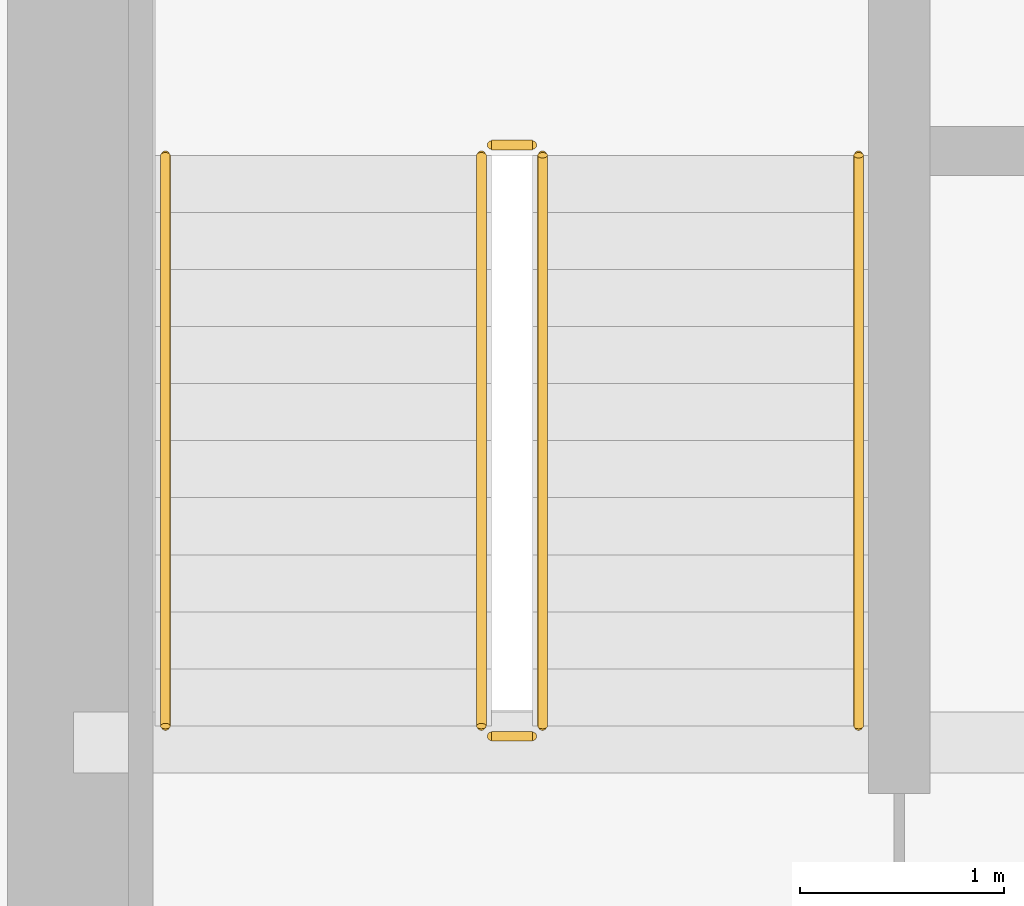
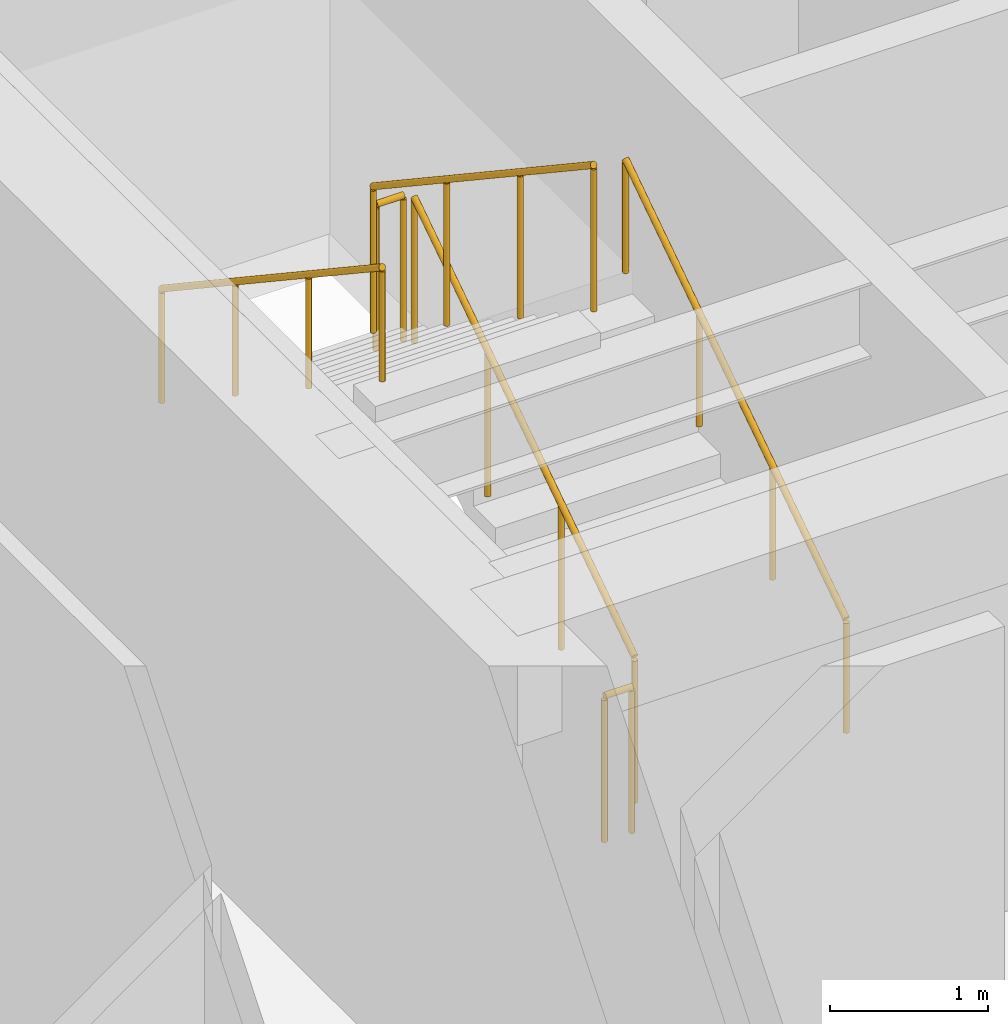
# One storey, part 30 of 33: 6 railings.
"""IFC4 building model written with IfcOpenShell, lengths in metres."""

import ifcopenshell
import ifcopenshell.guid

model = None  # the IFC model being written
_history = None  # IfcOwnerHistory: only IFC2X3 demands one
_inside = {}  # id of a spatial element -> (the spatial element, [elements in it])
_under = {}  # id of a project, library or spatial element -> (it, [spatial elements below it])
_declared = {}  # id of a project -> (the project, [libraries it declares])
_typed = {}  # id of a type object -> (the type object, [elements of that type])
_made_of = {}  # id of a material, layer set ... -> (it, [elements and type objects made of it])


def new_model(schema):
    """Start an empty IFC model of exactly this schema.

    Asked for "IFC4X3", IfcOpenShell would pick the latest addendum, in which some entities
    have other attributes; the version numbers below select the first issue.
    IFC2X3 requires an IfcOwnerHistory on every rooted entity: one is made here for all.
    """
    global model, _history
    if schema == "IFC4X3":
        model = ifcopenshell.file(schema_version=(4, 3, 0, 0))
    else:
        model = ifcopenshell.file(schema=schema)
    _inside.clear()
    _under.clear()
    _declared.clear()
    _typed.clear()
    _made_of.clear()
    _history = None
    if model.schema == "IFC2X3":
        org = make("IfcOrganization", Name="unknown")
        user = make(
            "IfcPersonAndOrganization",
            ThePerson=make("IfcPerson", FamilyName="unknown"),
            TheOrganization=org,
        )
        app = make(
            "IfcApplication",
            ApplicationDeveloper=org,
            Version="unknown",
            ApplicationFullName="unknown",
            ApplicationIdentifier="unknown",
        )
        _history = make(
            "IfcOwnerHistory",
            OwningUser=user,
            OwningApplication=app,
            ChangeAction="ADDED",
            CreationDate=0,
        )
    return model


def make(cls, **values):
    """One entity of the class cls with the attributes given. An attribute that is None is left unset."""
    return model.create_entity(
        cls, **{name: value for name, value in values.items() if value is not None}
    )


def rooted(cls, **values):
    """An entity with a GlobalId (a new one), such as an element, a storey or a relation."""
    return make(cls, GlobalId=ifcopenshell.guid.new(), OwnerHistory=_history, **values)


def si_unit(unit_type, name, prefix=None):
    """IfcSIUnit, for example si_unit("LENGTHUNIT", "METRE", prefix="MILLI")."""
    return make("IfcSIUnit", UnitType=unit_type, Prefix=prefix, Name=name)


def assignment(units):
    """IfcUnitAssignment: the units of a project."""
    return None if units is None else make("IfcUnitAssignment", Units=units)


def point(xyz):
    """IfcCartesianPoint."""
    return None if xyz is None else make("IfcCartesianPoint", Coordinates=xyz)


def direction(xyz):
    """IfcDirection."""
    return None if xyz is None else make("IfcDirection", DirectionRatios=xyz)


def frame(location, z_axis=None, x_axis=None):
    """IfcAxis2Placement3D, a coordinate frame: its origin and axes. An axis left out is left unset."""
    return make(
        "IfcAxis2Placement3D",
        Location=point(location),
        Axis=direction(z_axis),
        RefDirection=direction(x_axis),
    )


def frame_2d(location, x_axis=None):
    """IfcAxis2Placement2D, a coordinate frame in the plane: its origin and x axis."""
    return make(
        "IfcAxis2Placement2D", Location=point(location), RefDirection=direction(x_axis)
    )


def origin():
    """The frame at (0, 0, 0) with its axes left unset."""
    return frame((0.0, 0.0, 0.0))


def origin_2d():
    """The frame at (0, 0) in the plane with its x axis left unset."""
    return frame_2d((0.0, 0.0))


def place(relative_to, where):
    """IfcLocalPlacement: puts the frame where relative to a parent placement (None: the world)."""
    return make(
        "IfcLocalPlacement", PlacementRelTo=relative_to, RelativePlacement=where
    )


def context(
    kind, dimensions, precision=None, world=None, true_north=None, identifier=None
):
    """IfcGeometricRepresentationContext, for example the 3D "Model" context."""
    return make(
        "IfcGeometricRepresentationContext",
        ContextIdentifier=identifier,
        ContextType=kind,
        CoordinateSpaceDimension=dimensions,
        Precision=precision,
        WorldCoordinateSystem=world,
        TrueNorth=true_north,
    )


def subcontext(parent, identifier, kind, view, scale=None):
    """IfcGeometricRepresentationSubContext, for example "Body" below "Model"."""
    return make(
        "IfcGeometricRepresentationSubContext",
        ContextIdentifier=identifier,
        ContextType=kind,
        ParentContext=parent,
        TargetScale=scale,
        TargetView=view,
    )


def project(units=None, contexts=None):
    """IfcProject with its units and contexts."""
    return rooted(
        "IfcProject",
        Name="project",
        RepresentationContexts=contexts,
        UnitsInContext=assignment(units),
    )


def spatial(cls, under=None, at=None, **own):
    """A site, building, storey or space (cls), placed at a placement, below another one or the project."""
    s = rooted(cls, ObjectPlacement=at, **own)
    if under is not None:
        _under.setdefault(under.id(), (under, []))[1].append(s)
    return s


def profile(cls, at=None, kind="AREA", **sizes):
    """A parametric profile (cls). Its sizes go by their IFC names, for example OverallWidth=200.0."""
    return make(cls, ProfileType=kind, Position=at, **sizes)


def circle(**sizes):
    """IfcCircleProfileDef."""
    return profile("IfcCircleProfileDef", **sizes)


def extrude(swept, where, along, depth):
    """IfcExtrudedAreaSolid: the profile swept, set in the frame where, extruded along a direction by depth."""
    return make(
        "IfcExtrudedAreaSolid",
        SweptArea=swept,
        Position=where,
        ExtrudedDirection=direction(along),
        Depth=depth,
    )


def shape(context_of_items, identifier, shape_type, items):
    """IfcShapeRepresentation: the items that make up one representation, for example the "Body"."""
    return make(
        "IfcShapeRepresentation",
        ContextOfItems=context_of_items,
        RepresentationIdentifier=identifier,
        RepresentationType=shape_type,
        Items=items,
    )


def source(mapping_origin, context_of_items, identifier, shape_type, items):
    """IfcRepresentationMap: a shape defined once, which mapped items show again and again."""
    return make(
        "IfcRepresentationMap",
        MappingOrigin=mapping_origin,
        MappedRepresentation=shape(context_of_items, identifier, shape_type, items),
    )


def transform(
    local_origin,
    x_axis=None,
    y_axis=None,
    z_axis=None,
    scale=None,
    scale2=None,
    scale3=None,
    uniform=True,
):
    """IfcCartesianTransformationOperator3D, or its non-uniform kind. x_axis, y_axis, z_axis: its Axis1, 2, 3."""
    if uniform:
        return make(
            "IfcCartesianTransformationOperator3D",
            Axis1=direction(x_axis),
            Axis2=direction(y_axis),
            LocalOrigin=point(local_origin),
            Scale=scale,
            Axis3=direction(z_axis),
        )
    return make(
        "IfcCartesianTransformationOperator3DnonUniform",
        Axis1=direction(x_axis),
        Axis2=direction(y_axis),
        LocalOrigin=point(local_origin),
        Scale=scale,
        Axis3=direction(z_axis),
        Scale2=scale2,
        Scale3=scale3,
    )


def mapped(mapping_source, mapping_target):
    """IfcMappedItem: shows the shape of a source again, moved by a transform."""
    return make(
        "IfcMappedItem", MappingSource=mapping_source, MappingTarget=mapping_target
    )


def material(Name=None, Category=None):
    """IfcMaterial."""
    return make("IfcMaterial", Name=Name, Category=Category)


def made_of(thing, what):
    """Note that an element or type object is made of a material, layer set ...; save() writes the relation."""
    if what is not None:
        _made_of.setdefault(what.id(), (what, []))[1].append(thing)
    return thing


def type_object(cls, material=None, **own):
    """A type object (cls), such as IfcWallType, which elements share."""
    return made_of(rooted(cls, **own), material)


def type_shapes(of_type, sources):
    """Give a type object the sources (RepresentationMaps) that its elements show as mapped items."""
    of_type.RepresentationMaps = sources


def element(
    cls,
    number,
    at=None,
    inside=None,
    cuts=None,
    type_object=None,
    material=None,
    context=None,
    identifier="Body",
    shape_type=None,
    held_by="IfcProductDefinitionShape",
    body=None,
    shapes=None,
    **own,
):
    """One element of the class cls, such as IfcWall. Its Tag is "e" and its number.

    at: its placement. inside: the storey or other place that contains it. cuts: it is an
    opening in that element (IfcRelVoidsElement). A single representation is given by context,
    identifier, shape_type and body (its items); several are given by shapes. held_by: the class
    of the entity that holds the representations. save() writes the other relations.
    """
    e = rooted(cls, Tag="e%d" % number, ObjectPlacement=at, **own)
    if body is not None:
        shapes = [shape(context, identifier, shape_type, body)]
    if shapes is not None:
        e.Representation = make(held_by, Representations=shapes)
    if inside is not None:
        _inside.setdefault(inside.id(), (inside, []))[1].append(e)
    if cuts is not None:
        rooted(
            "IfcRelVoidsElement", RelatingBuildingElement=cuts, RelatedOpeningElement=e
        )
    if type_object is not None:
        _typed.setdefault(type_object.id(), (type_object, []))[1].append(e)
    return made_of(e, material)


def aggregate(whole, parts):
    """IfcRelAggregates: a whole, such as a stair, and the parts it consists of."""
    return rooted("IfcRelAggregates", RelatingObject=whole, RelatedObjects=parts)


def save(model, path):
    """Write the relations noted so far, then the file.

    IfcRelAggregates (storeys below a building ...), IfcRelContainedInSpatialStructure (elements
    in a storey), IfcRelDefinesByType, IfcRelAssociatesMaterial and IfcRelDeclares: one each for
    every whole, place, type object, material and project.
    """
    for whole, parts in _under.values():
        aggregate(whole, parts)
    for where, things in _inside.values():
        rooted(
            "IfcRelContainedInSpatialStructure",
            RelatedElements=things,
            RelatingStructure=where,
        )
    for kind, things in _typed.values():
        rooted("IfcRelDefinesByType", RelatedObjects=things, RelatingType=kind)
    for what, things in _made_of.values():
        rooted("IfcRelAssociatesMaterial", RelatedObjects=things, RelatingMaterial=what)
    for by, libraries in _declared.values():
        rooted("IfcRelDeclares", RelatingContext=by, RelatedDefinitions=libraries)
    model.write(path)


model = new_model("IFC4")

# Units and contexts
model_context = context("Model", 3, precision=1e-05, world=origin(), true_north=direction((0.0, 1.0)))
body_context = subcontext(model_context, "Body", "Model", "MODEL_VIEW")
ifc_project = project(units=[si_unit("LENGTHUNIT", "METRE"), si_unit("AREAUNIT", "SQUARE_METRE"), si_unit("VOLUMEUNIT", "CUBIC_METRE"), si_unit("PLANEANGLEUNIT", "RADIAN"), si_unit("MASSUNIT", "GRAM", prefix="KILO")], contexts=[model_context])

# Site, building, storey
site_placement = place(None, origin())
site = spatial("IfcSite", under=ifc_project, at=site_placement, CompositionType="ELEMENT")
building_placement = place(site_placement, origin())
building = spatial("IfcBuilding", under=site, at=building_placement, Name="Haelvirn Gate Laboratories", CompositionType="ELEMENT")
storey_placement = place(building_placement, frame((0.0, 0.0, 166.60009765625)))
storey = spatial("IfcBuildingStorey", under=building, at=storey_placement, Name="L40", CompositionType="ELEMENT", Elevation=166.60009765625)

# Railings
ifc_material_1 = material(Name="Galvanised steel SM355 & stainless top rail", Category="steel")
railing_type_1 = type_object("IfcRailingType", Name="RL-GUARD-1150", PredefinedType="GUARDRAIL", material=ifc_material_1)
shared_shape_1 = source(origin(), body_context, "Body", "SweptSolid", [
    extrude(circle(Radius=0.02392578125, at=origin_2d()), frame((0.0, 0.0, 1.1259765625), z_axis=(-1.0, 0.0, 0.0), x_axis=(0.0, -1.0, 0.0)), (0.0, 0.0, 1.0), 0.199951171875),
    extrude(circle(Radius=0.02099609375, at=origin_2d()), origin(), (0.0, 0.0, 1.0), 1.101806640625),
    extrude(circle(Radius=0.02099609375, at=origin_2d()), frame((-0.199951171875, 0.0, 0.0)), (0.0, 0.0, 1.0), 1.101806640625),
])
for number, where, name in (
    (1, (9.64990234375, 29.550048828125, 2.0498046875), "L40 ST1 stair guard 2"),
    (2, (9.64990234375, 26.64990234375, 0.0), "L40 ST1 stair guard 4"),
):
    element("IfcRailing", number, at=place(storey_placement, frame(where)), inside=storey, type_object=railing_type_1, Name=name, PredefinedType="GUARDRAIL", context=body_context, shape_type="MappedRepresentation", body=[
        mapped(shared_shape_1, transform((0.0, 0.0, 0.0), scale=1.0)),
    ])
shared_shape_2 = source(origin(), body_context, "Body", "SweptSolid", [
    extrude(circle(Radius=0.02392578125, at=origin_2d()), frame((0.0, 0.0, 1.1259765625), z_axis=(0.0, 0.832485552168, 0.554046753832), x_axis=(-1.0, 0.0, 0.0)), (0.0, 0.0, 1.0), 3.363525390625),
    extrude(circle(Radius=0.02099609375, at=origin_2d()), origin(), (0.0, 0.0, 1.0), 1.101806640625),
    extrude(circle(Radius=0.02099609375, at=origin_2d()), frame((0.0, 0.933349609375, 0.62109375)), (0.0, 0.0, 1.0), 1.101806640625),
    extrude(circle(Radius=0.02099609375, at=origin_2d()), frame((0.0, 1.86669921875, 1.242431640625)), (0.0, 0.0, 1.0), 1.101806640625),
    extrude(circle(Radius=0.02099609375, at=origin_2d()), frame((0.0, 2.800048828125, 1.863525390625)), (0.0, 0.0, 1.0), 1.101806640625),
])
railing_1_placement = place(storey_placement, frame((9.699951171875, 26.699951171875, 0.186279296875)))
element("IfcRailing", 3, at=railing_1_placement, inside=storey, type_object=railing_type_1, Name="L40 ST1 stair guard 1", PredefinedType="GUARDRAIL", context=body_context, shape_type="MappedRepresentation", body=[
    mapped(shared_shape_2, transform((0.0, 0.0, 0.0), scale=1.0)),
])
ifc_material_2 = material(Name="Brushed stainless steel 316L", Category="steel")
railing_type_2 = type_object("IfcRailingType", Name="RL-HAND-920", PredefinedType="HANDRAIL", material=ifc_material_2)
shared_shape_3 = source(origin(), body_context, "Body", "SweptSolid", [
    extrude(circle(Radius=0.02392578125, at=origin_2d()), frame((0.0, 0.0, 0.8759765625), z_axis=(0.0, 0.832485552168, 0.554046753832), x_axis=(-1.0, 0.0, 0.0)), (0.0, 0.0, 1.0), 3.363525390625),
    extrude(circle(Radius=0.02099609375, at=origin_2d()), origin(), (0.0, 0.0, 1.0), 0.851806640625),
    extrude(circle(Radius=0.02099609375, at=origin_2d()), frame((0.0, 0.933349609375, 0.62109375)), (0.0, 0.0, 1.0), 0.851806640625),
    extrude(circle(Radius=0.02099609375, at=origin_2d()), frame((0.0, 1.86669921875, 1.242431640625)), (0.0, 0.0, 1.0), 0.851806640625),
    extrude(circle(Radius=0.02099609375, at=origin_2d()), frame((0.0, 2.800048828125, 1.863525390625)), (0.0, 0.0, 1.0), 0.851806640625),
])
railing_2_placement = place(storey_placement, frame((11.25, 26.699951171875, 0.186279296875)))
element("IfcRailing", 4, at=railing_2_placement, inside=storey, type_object=railing_type_2, Name="L40 ST1 stair handrail 1", PredefinedType="HANDRAIL", context=body_context, shape_type="MappedRepresentation", body=[
    mapped(shared_shape_3, transform((0.0, 0.0, 0.0), scale=1.0)),
])
shared_shape_4 = source(origin(), body_context, "Body", "SweptSolid", [
    extrude(circle(Radius=0.02392578125, at=origin_2d()), frame((0.0, 0.0, 1.1259765625), z_axis=(0.0, -0.832485552168, 0.554046753832), x_axis=(1.0, 0.0, 0.0)), (0.0, 0.0, 1.0), 3.363525390625),
    extrude(circle(Radius=0.02099609375, at=origin_2d()), origin(), (0.0, 0.0, 1.0), 1.101806640625),
    extrude(circle(Radius=0.02099609375, at=origin_2d()), frame((0.0, -0.933349609375, 0.62109375)), (0.0, 0.0, 1.0), 1.101806640625),
    extrude(circle(Radius=0.02099609375, at=origin_2d()), frame((0.0, -1.86669921875, 1.242431640625)), (0.0, 0.0, 1.0), 1.101806640625),
    extrude(circle(Radius=0.02099609375, at=origin_2d()), frame((0.0, -2.800048828125, 1.863525390625)), (0.0, 0.0, 1.0), 1.101806640625),
])
type_shapes(railing_type_1, [shared_shape_1, shared_shape_2, shared_shape_4])
railing_3_placement = place(storey_placement, frame((9.39990234375, 29.5, 2.236328125)))
element("IfcRailing", 5, at=railing_3_placement, inside=storey, type_object=railing_type_1, Name="L40 ST1 stair guard 3", PredefinedType="GUARDRAIL", context=body_context, shape_type="MappedRepresentation", body=[
    mapped(shared_shape_4, transform((0.0, 0.0, 0.0), scale=1.0)),
])
shared_shape_5 = source(origin(), body_context, "Body", "SweptSolid", [
    extrude(circle(Radius=0.02392578125, at=origin_2d()), frame((0.0, 0.0, 0.8759765625), z_axis=(0.0, -0.832485552168, 0.554046753832), x_axis=(1.0, 0.0, 0.0)), (0.0, 0.0, 1.0), 3.363525390625),
    extrude(circle(Radius=0.02099609375, at=origin_2d()), origin(), (0.0, 0.0, 1.0), 0.851806640625),
    extrude(circle(Radius=0.02099609375, at=origin_2d()), frame((0.0, -0.933349609375, 0.62109375)), (0.0, 0.0, 1.0), 0.851806640625),
    extrude(circle(Radius=0.02099609375, at=origin_2d()), frame((0.0, -1.86669921875, 1.242431640625)), (0.0, 0.0, 1.0), 0.851806640625),
    extrude(circle(Radius=0.02099609375, at=origin_2d()), frame((0.0, -2.800048828125, 1.863525390625)), (0.0, 0.0, 1.0), 0.851806640625),
])
type_shapes(railing_type_2, [shared_shape_3, shared_shape_5])
railing_4_placement = place(storey_placement, frame((7.85009765625, 29.5, 2.236328125)))
element("IfcRailing", 6, at=railing_4_placement, inside=storey, type_object=railing_type_2, Name="L40 ST1 stair handrail 2", PredefinedType="HANDRAIL", context=body_context, shape_type="MappedRepresentation", body=[
    mapped(shared_shape_5, transform((0.0, 0.0, 0.0), scale=1.0)),
])

save(model, "model.ifc")
